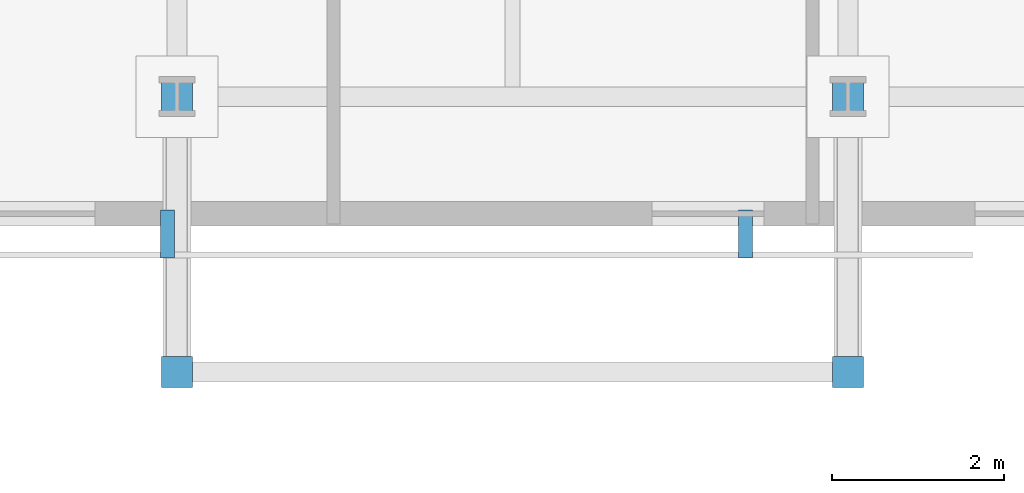
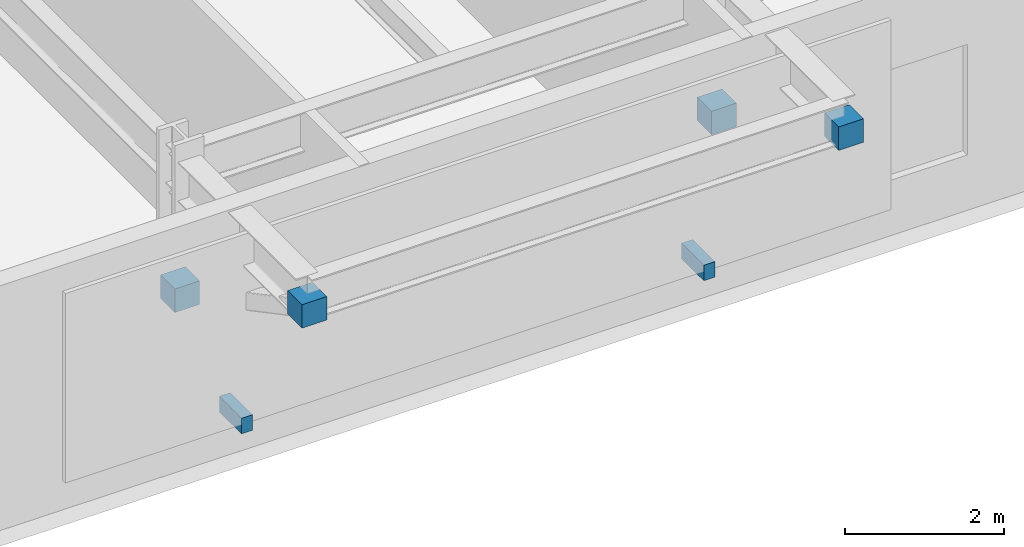
# One storey, part 9 of 13: 6 discrete accessories.
"""IFC4 building model written with IfcOpenShell, lengths in metres."""

from ifc_helpers import new_model, si_unit, direction, frame, origin, origin_2d, place, context, subcontext, project, spatial, rectangle, extrude, material, type_object, element, save


model = new_model("IFC4")

# Units and contexts
model_context = context("Model", 3, precision=1e-05, world=origin(), true_north=direction((0.0, 1.0)))
body_context = subcontext(model_context, "Body", "Model", "MODEL_VIEW")
ifc_project = project(units=[si_unit("LENGTHUNIT", "METRE"), si_unit("AREAUNIT", "SQUARE_METRE"), si_unit("VOLUMEUNIT", "CUBIC_METRE"), si_unit("PLANEANGLEUNIT", "RADIAN"), si_unit("MASSUNIT", "GRAM", prefix="KILO")], contexts=[model_context])

# Site, building, storey
site_placement = place(None, origin())
site = spatial("IfcSite", under=ifc_project, at=site_placement, CompositionType="ELEMENT")
building_placement = place(site_placement, origin())
building = spatial("IfcBuilding", under=site, at=building_placement, Name="Kestravale Grand Hotel", CompositionType="ELEMENT")
storey_placement = place(building_placement, frame((0.0, 0.0, 245.39990234375)))
storey = spatial("IfcBuildingStorey", under=building, at=storey_placement, Name="L61", CompositionType="ELEMENT", Elevation=245.39990234375)

# Discrete accessories
ifc_material = material(Name="Steel ASTM A572 Grade 50 hot-dip galvanised bracket", Category="steel")
discrete_accessory_type = type_object("IfcDiscreteAccessoryType", Name="ACC-BRK-STL", PredefinedType="BRACKET", material=ifc_material)
for number, where, z_axis, x_axis, name in (
    (1, (46.800048828125, 11.199951171875, 1.39404296875), (0.0, 0.0, 1.0), (1.0, 0.0, 0.0), "L62 terrace strut column bracket 1"),
    (2, (46.800048828125, 8.0, 3.09423828125), (0.0, 0.0, 1.0), (1.0, 0.0, 0.0), "L62 terrace strut beam bracket 1"),
    (3, (54.60009765625, 11.199951171875, 1.39404296875), (0.0, 0.0, 1.0), (1.0, 0.0, 0.0), "L62 terrace strut column bracket 2"),
    (4, (54.60009765625, 8.0, 3.09423828125), (0.0, 0.0, 1.0), (1.0, 0.0, 0.0), "L62 terrace strut beam bracket 2"),
):
    element("IfcDiscreteAccessory", number, at=place(storey_placement, frame(where, z_axis=z_axis, x_axis=x_axis)), inside=storey, type_object=discrete_accessory_type, Name=name, PredefinedType="BRACKET", context=body_context, shape_type="SweptSolid", body=[
        extrude(rectangle(XDim=0.360107421875, YDim=0.360107421875, at=origin_2d()), origin(), (0.0, 0.0, 1.0), 0.360107421875),
    ])
for number, where, z_axis, x_axis, name in (
    (5, (46.68994140625, 9.60498046875, 0.56005859375), (0.0, 0.0, 1.0), (1.0, 0.0, 0.0), "L61 solar screen standoff bracket 1"),
    (6, (53.409912109375, 9.60498046875, 0.56005859375), (0.0, 0.0, 1.0), (1.0, 0.0, 0.0), "L61 solar screen standoff bracket 2"),
):
    element("IfcDiscreteAccessory", number, at=place(storey_placement, frame(where, z_axis=z_axis, x_axis=x_axis)), inside=storey, type_object=discrete_accessory_type, Name=name, PredefinedType="BRACKET", context=body_context, shape_type="SweptSolid", body=[
        extrude(rectangle(XDim=0.159912109375, YDim=0.56005859375, at=origin_2d()), origin(), (0.0, 0.0, 1.0), 0.239990234375),
    ])

save(model, "model.ifc")
